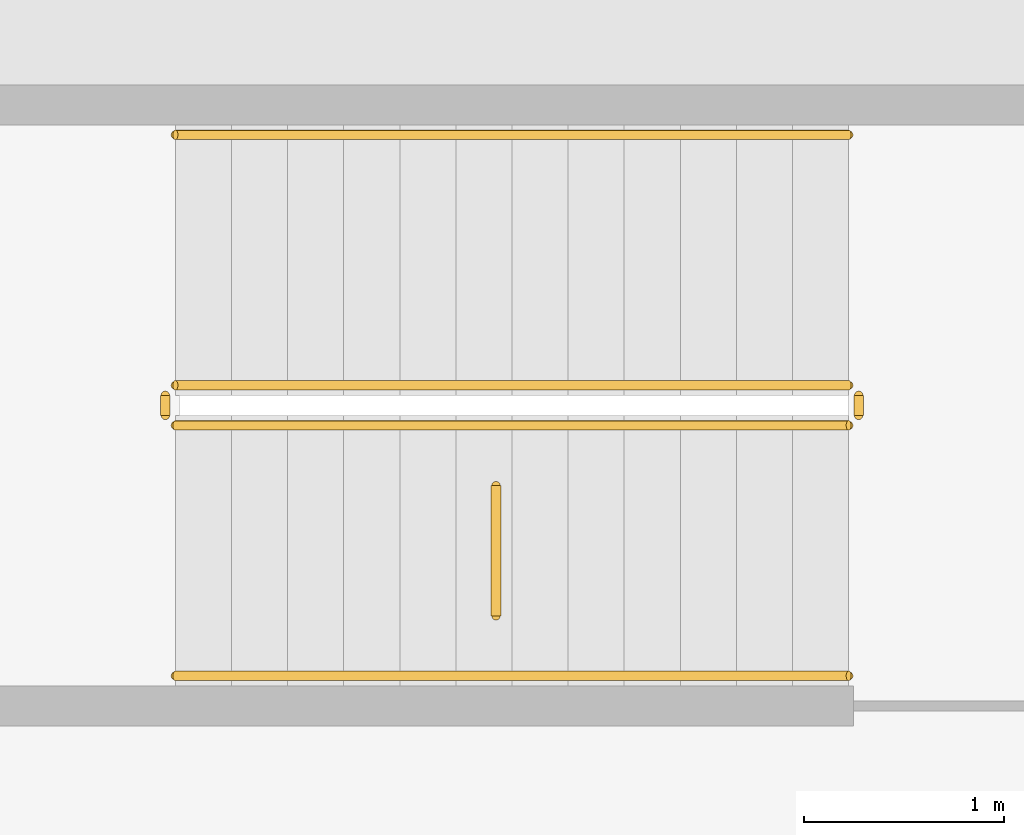
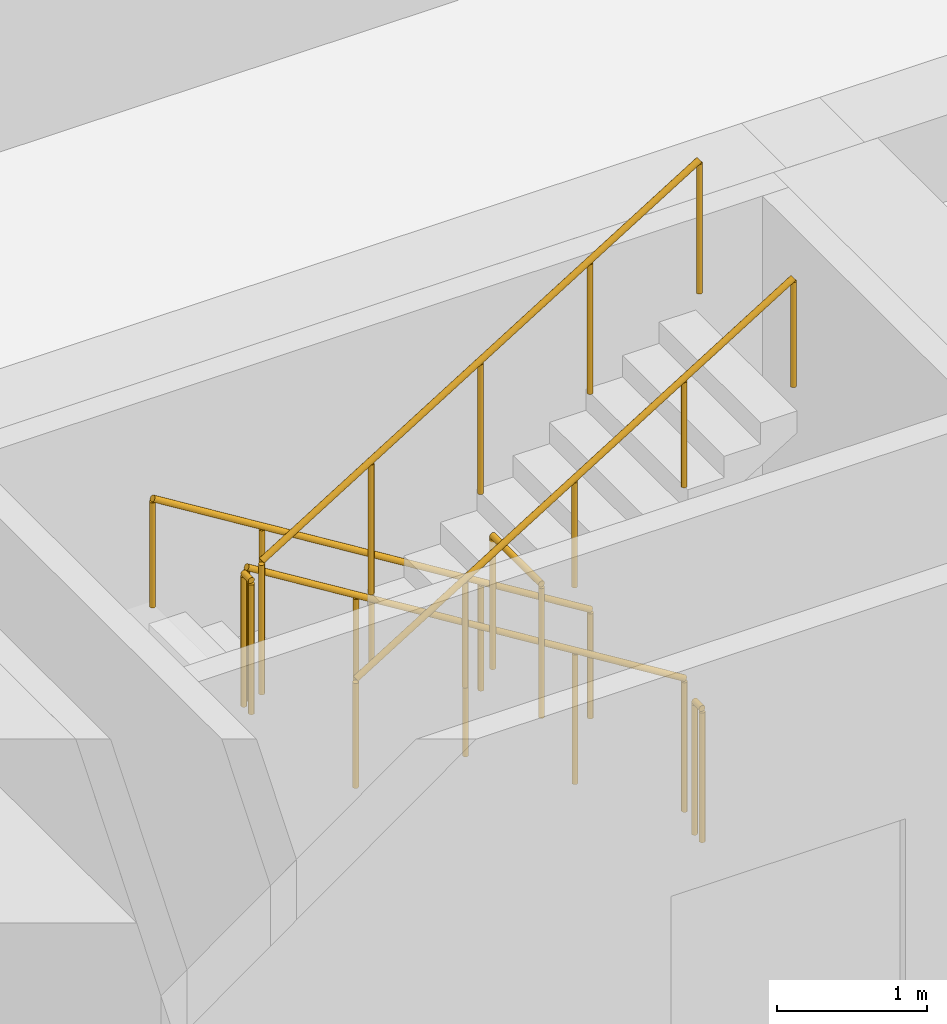
# One storey, part 22 of 23: 7 railings.
"""IFC4 building model written with IfcOpenShell, lengths in metres."""

from ifc_helpers import new_model, si_unit, direction, frame, origin, origin_2d, place, context, subcontext, project, spatial, circle, extrude, material, type_object, element, save


model = new_model("IFC4")

# Units and contexts
model_context = context("Model", 3, precision=1e-05, world=origin(), true_north=direction((0.0, 1.0)))
body_context = subcontext(model_context, "Body", "Model", "MODEL_VIEW")
ifc_project = project(units=[si_unit("LENGTHUNIT", "METRE"), si_unit("AREAUNIT", "SQUARE_METRE"), si_unit("VOLUMEUNIT", "CUBIC_METRE"), si_unit("PLANEANGLEUNIT", "RADIAN"), si_unit("MASSUNIT", "GRAM", prefix="KILO")], contexts=[model_context])

# Site, building, storey
site_placement = place(None, origin())
site = spatial("IfcSite", under=ifc_project, at=site_placement, CompositionType="ELEMENT")
building_placement = place(site_placement, origin())
building = spatial("IfcBuilding", under=site, at=building_placement, Name="Stone Belt Terrace Tower", CompositionType="ELEMENT")
storey_placement = place(building_placement, frame((0.0, 0.0, -4.5)))
storey = spatial("IfcBuildingStorey", under=building, at=storey_placement, Name="B1", CompositionType="ELEMENT", Elevation=-4.5)

# Railings
ifc_material_1 = material(Name="Structural steel C345", Category="steel")
railing_type_1 = type_object("IfcRailingType", Name="Car park guard 1100", PredefinedType="GUARDRAIL", material=ifc_material_1)
railing_1_placement = place(storey_placement, frame((22.35009765625, -3.60009765625, 0.173095703125)))
element("IfcRailing", 1, at=railing_1_placement, inside=storey, type_object=railing_type_1, Name="B1 CS4 stair guard 1", PredefinedType="GUARDRAIL", context=body_context, shape_type="SweptSolid", body=[
    extrude(circle(Radius=0.02392578125, at=origin_2d()), frame((0.0, 0.0, 1.076171875), z_axis=(-0.850623216509, 0.0, 0.525775754039), x_axis=(0.0, -1.0, 0.0)), (0.0, 0.0, 1.0), 3.9501953125),
    extrude(circle(Radius=0.02099609375, at=origin_2d()), origin(), (0.0, 0.0, 1.0), 1.052001953125),
    extrude(circle(Radius=0.02099609375, at=origin_2d()), frame((-0.840087890625, 0.0, 0.519287109375)), (0.0, 0.0, 1.0), 1.052001953125),
    extrude(circle(Radius=0.02099609375, at=origin_2d()), frame((-1.68017578125, 0.0, 1.03857421875)), (0.0, 0.0, 1.0), 1.052001953125),
    extrude(circle(Radius=0.02099609375, at=origin_2d()), frame((-2.52001953125, 0.0, 1.5576171875)), (0.0, 0.0, 1.0), 1.052001953125),
    extrude(circle(Radius=0.02099609375, at=origin_2d()), frame((-3.360107421875, 0.0, 2.076904296875)), (0.0, 0.0, 1.0), 1.052001953125),
])
railing_2_placement = place(storey_placement, frame((18.93994140625, -3.64990234375, 2.25)))
element("IfcRailing", 2, at=railing_2_placement, inside=storey, type_object=railing_type_1, Name="B1 CS4 stair guard 2", PredefinedType="GUARDRAIL", context=body_context, shape_type="SweptSolid", body=[
    extrude(circle(Radius=0.02392578125, at=origin_2d()), frame((0.0, 0.0, 1.076171875), z_axis=(0.0, -1.0, 0.0), x_axis=(1.0, 0.0, 0.0)), (0.0, 0.0, 1.0), 0.10009765625),
    extrude(circle(Radius=0.02099609375, at=origin_2d()), origin(), (0.0, 0.0, 1.0), 1.052001953125),
    extrude(circle(Radius=0.02099609375, at=origin_2d()), frame((0.0, -0.10009765625, 0.0)), (0.0, 0.0, 1.0), 1.052001953125),
])
railing_3_placement = place(storey_placement, frame((18.989990234375, -3.800048828125, 2.423095703125)))
element("IfcRailing", 3, at=railing_3_placement, inside=storey, type_object=railing_type_1, Name="B1 CS4 stair guard 3", PredefinedType="GUARDRAIL", context=body_context, shape_type="SweptSolid", body=[
    extrude(circle(Radius=0.02392578125, at=origin_2d()), frame((0.0, 0.0, 1.076171875), z_axis=(0.850623216509, 0.0, 0.525775754039), x_axis=(0.0, 1.0, 0.0)), (0.0, 0.0, 1.0), 3.9501953125),
    extrude(circle(Radius=0.02099609375, at=origin_2d()), origin(), (0.0, 0.0, 1.0), 1.052001953125),
    extrude(circle(Radius=0.02099609375, at=origin_2d()), frame((0.840087890625, 0.0, 0.519287109375)), (0.0, 0.0, 1.0), 1.052001953125),
    extrude(circle(Radius=0.02099609375, at=origin_2d()), frame((1.68017578125, 0.0, 1.03857421875)), (0.0, 0.0, 1.0), 1.052001953125),
    extrude(circle(Radius=0.02099609375, at=origin_2d()), frame((2.52001953125, 0.0, 1.5576171875)), (0.0, 0.0, 1.0), 1.052001953125),
    extrude(circle(Radius=0.02099609375, at=origin_2d()), frame((3.360107421875, 0.0, 2.076904296875)), (0.0, 0.0, 1.0), 1.052001953125),
])
railing_4_placement = place(storey_placement, frame((22.39990234375, -3.64990234375, 0.0)))
element("IfcRailing", 4, at=railing_4_placement, inside=storey, type_object=railing_type_1, Name="B1 CS4 stair guard 4", PredefinedType="GUARDRAIL", context=body_context, shape_type="SweptSolid", body=[
    extrude(circle(Radius=0.02392578125, at=origin_2d()), frame((0.0, 0.0, 1.076171875), z_axis=(0.0, -1.0, 0.0), x_axis=(1.0, 0.0, 0.0)), (0.0, 0.0, 1.0), 0.10009765625),
    extrude(circle(Radius=0.02099609375, at=origin_2d()), origin(), (0.0, 0.0, 1.0), 1.052001953125),
    extrude(circle(Radius=0.02099609375, at=origin_2d()), frame((0.0, -0.10009765625, 0.0)), (0.0, 0.0, 1.0), 1.052001953125),
])
railing_5_placement = place(storey_placement, frame((20.590087890625, -4.75, 2.25)))
element("IfcRailing", 5, at=railing_5_placement, inside=storey, type_object=railing_type_1, Name="Car park stair landing guard", PredefinedType="GUARDRAIL", context=body_context, shape_type="SweptSolid", body=[
    extrude(circle(Radius=0.02392578125, at=origin_2d()), frame((0.0, 0.0, 1.076171875), z_axis=(0.0, 1.0, 0.0), x_axis=(-1.0, 0.0, 0.0)), (0.0, 0.0, 1.0), 0.64990234375),
    extrude(circle(Radius=0.02099609375, at=origin_2d()), origin(), (0.0, 0.0, 1.0), 1.052001953125),
    extrude(circle(Radius=0.02099609375, at=origin_2d()), frame((0.0, 0.64990234375, 0.0)), (0.0, 0.0, 1.0), 1.052001953125),
])
ifc_material_2 = material(Name="Stainless steel", Category="steel")
railing_type_2 = type_object("IfcRailingType", Name="Car park handrail 900", PredefinedType="HANDRAIL", material=ifc_material_2)
railing_6_placement = place(storey_placement, frame((22.35009765625, -2.35009765625, 0.173095703125)))
element("IfcRailing", 6, at=railing_6_placement, inside=storey, type_object=railing_type_2, Name="B1 CS4 stair handrail 1", PredefinedType="HANDRAIL", context=body_context, shape_type="SweptSolid", body=[
    extrude(circle(Radius=0.02392578125, at=origin_2d()), frame((0.0, 0.0, 0.8759765625), z_axis=(-0.850623216509, 0.0, 0.525775754039), x_axis=(0.0, -1.0, 0.0)), (0.0, 0.0, 1.0), 3.9501953125),
    extrude(circle(Radius=0.02099609375, at=origin_2d()), origin(), (0.0, 0.0, 1.0), 0.851806640625),
    extrude(circle(Radius=0.02099609375, at=origin_2d()), frame((-0.840087890625, 0.0, 0.519287109375)), (0.0, 0.0, 1.0), 0.851806640625),
    extrude(circle(Radius=0.02099609375, at=origin_2d()), frame((-1.68017578125, 0.0, 1.03857421875)), (0.0, 0.0, 1.0), 0.851806640625),
    extrude(circle(Radius=0.02099609375, at=origin_2d()), frame((-2.52001953125, 0.0, 1.5576171875)), (0.0, 0.0, 1.0), 0.851806640625),
    extrude(circle(Radius=0.02099609375, at=origin_2d()), frame((-3.360107421875, 0.0, 2.076904296875)), (0.0, 0.0, 1.0), 0.851806640625),
])
railing_7_placement = place(storey_placement, frame((18.989990234375, -5.050048828125, 2.423095703125)))
element("IfcRailing", 7, at=railing_7_placement, inside=storey, type_object=railing_type_2, Name="B1 CS4 stair handrail 2", PredefinedType="HANDRAIL", context=body_context, shape_type="SweptSolid", body=[
    extrude(circle(Radius=0.02392578125, at=origin_2d()), frame((0.0, 0.0, 0.8759765625), z_axis=(0.850623216509, 0.0, 0.525775754039), x_axis=(0.0, 1.0, 0.0)), (0.0, 0.0, 1.0), 3.9501953125),
    extrude(circle(Radius=0.02099609375, at=origin_2d()), origin(), (0.0, 0.0, 1.0), 0.851806640625),
    extrude(circle(Radius=0.02099609375, at=origin_2d()), frame((0.840087890625, 0.0, 0.519287109375)), (0.0, 0.0, 1.0), 0.851806640625),
    extrude(circle(Radius=0.02099609375, at=origin_2d()), frame((1.68017578125, 0.0, 1.03857421875)), (0.0, 0.0, 1.0), 0.851806640625),
    extrude(circle(Radius=0.02099609375, at=origin_2d()), frame((2.52001953125, 0.0, 1.5576171875)), (0.0, 0.0, 1.0), 0.851806640625),
    extrude(circle(Radius=0.02099609375, at=origin_2d()), frame((3.360107421875, 0.0, 2.076904296875)), (0.0, 0.0, 1.0), 0.851806640625),
])

save(model, "model.ifc")
